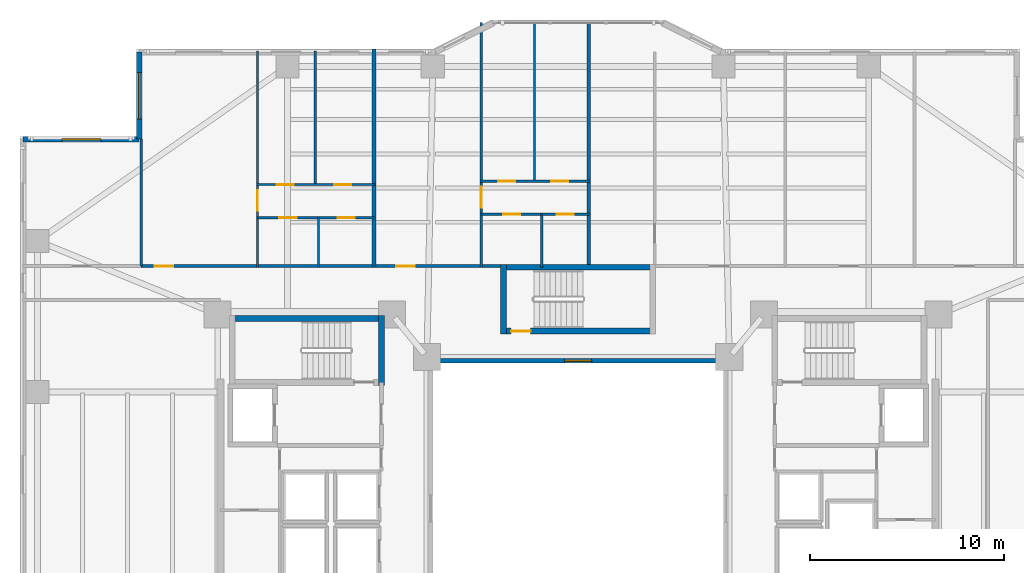
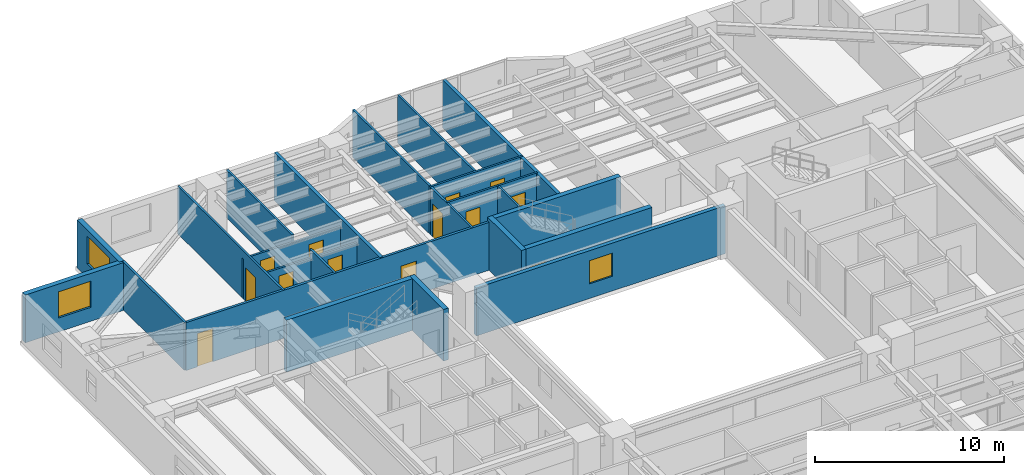
# One storey, part 14 of 21: 24 walls, 13 doors, 3 windows, 16 openings.
"""IFC4 building model written with IfcOpenShell, lengths in metres."""

import ifcopenshell
import ifcopenshell.guid

model = None  # the IFC model being written
_history = None  # IfcOwnerHistory: only IFC2X3 demands one
_inside = {}  # id of a spatial element -> (the spatial element, [elements in it])
_under = {}  # id of a project, library or spatial element -> (it, [spatial elements below it])
_declared = {}  # id of a project -> (the project, [libraries it declares])
_typed = {}  # id of a type object -> (the type object, [elements of that type])
_made_of = {}  # id of a material, layer set ... -> (it, [elements and type objects made of it])


def new_model(schema):
    """Start an empty IFC model of exactly this schema.

    Asked for "IFC4X3", IfcOpenShell would pick the latest addendum, in which some entities
    have other attributes; the version numbers below select the first issue.
    IFC2X3 requires an IfcOwnerHistory on every rooted entity: one is made here for all.
    """
    global model, _history
    if schema == "IFC4X3":
        model = ifcopenshell.file(schema_version=(4, 3, 0, 0))
    else:
        model = ifcopenshell.file(schema=schema)
    _inside.clear()
    _under.clear()
    _declared.clear()
    _typed.clear()
    _made_of.clear()
    _history = None
    if model.schema == "IFC2X3":
        org = make("IfcOrganization", Name="unknown")
        user = make(
            "IfcPersonAndOrganization",
            ThePerson=make("IfcPerson", FamilyName="unknown"),
            TheOrganization=org,
        )
        app = make(
            "IfcApplication",
            ApplicationDeveloper=org,
            Version="unknown",
            ApplicationFullName="unknown",
            ApplicationIdentifier="unknown",
        )
        _history = make(
            "IfcOwnerHistory",
            OwningUser=user,
            OwningApplication=app,
            ChangeAction="ADDED",
            CreationDate=0,
        )
    return model


def make(cls, **values):
    """One entity of the class cls with the attributes given. An attribute that is None is left unset."""
    return model.create_entity(
        cls, **{name: value for name, value in values.items() if value is not None}
    )


def rooted(cls, **values):
    """An entity with a GlobalId (a new one), such as an element, a storey or a relation."""
    return make(cls, GlobalId=ifcopenshell.guid.new(), OwnerHistory=_history, **values)


def si_unit(unit_type, name, prefix=None):
    """IfcSIUnit, for example si_unit("LENGTHUNIT", "METRE", prefix="MILLI")."""
    return make("IfcSIUnit", UnitType=unit_type, Prefix=prefix, Name=name)


def assignment(units):
    """IfcUnitAssignment: the units of a project."""
    return None if units is None else make("IfcUnitAssignment", Units=units)


def point(xyz):
    """IfcCartesianPoint."""
    return None if xyz is None else make("IfcCartesianPoint", Coordinates=xyz)


def direction(xyz):
    """IfcDirection."""
    return None if xyz is None else make("IfcDirection", DirectionRatios=xyz)


def frame(location, z_axis=None, x_axis=None):
    """IfcAxis2Placement3D, a coordinate frame: its origin and axes. An axis left out is left unset."""
    return make(
        "IfcAxis2Placement3D",
        Location=point(location),
        Axis=direction(z_axis),
        RefDirection=direction(x_axis),
    )


def frame_2d(location, x_axis=None):
    """IfcAxis2Placement2D, a coordinate frame in the plane: its origin and x axis."""
    return make(
        "IfcAxis2Placement2D", Location=point(location), RefDirection=direction(x_axis)
    )


def origin():
    """The frame at (0, 0, 0) with its axes left unset."""
    return frame((0.0, 0.0, 0.0))


def place(relative_to, where):
    """IfcLocalPlacement: puts the frame where relative to a parent placement (None: the world)."""
    return make(
        "IfcLocalPlacement", PlacementRelTo=relative_to, RelativePlacement=where
    )


def context(
    kind, dimensions, precision=None, world=None, true_north=None, identifier=None
):
    """IfcGeometricRepresentationContext, for example the 3D "Model" context."""
    return make(
        "IfcGeometricRepresentationContext",
        ContextIdentifier=identifier,
        ContextType=kind,
        CoordinateSpaceDimension=dimensions,
        Precision=precision,
        WorldCoordinateSystem=world,
        TrueNorth=true_north,
    )


def subcontext(parent, identifier, kind, view, scale=None):
    """IfcGeometricRepresentationSubContext, for example "Body" below "Model"."""
    return make(
        "IfcGeometricRepresentationSubContext",
        ContextIdentifier=identifier,
        ContextType=kind,
        ParentContext=parent,
        TargetScale=scale,
        TargetView=view,
    )


def project(units=None, contexts=None):
    """IfcProject with its units and contexts."""
    return rooted(
        "IfcProject",
        Name="project",
        RepresentationContexts=contexts,
        UnitsInContext=assignment(units),
    )


def spatial(cls, under=None, at=None, **own):
    """A site, building, storey or space (cls), placed at a placement, below another one or the project."""
    s = rooted(cls, ObjectPlacement=at, **own)
    if under is not None:
        _under.setdefault(under.id(), (under, []))[1].append(s)
    return s


def profile(cls, at=None, kind="AREA", **sizes):
    """A parametric profile (cls). Its sizes go by their IFC names, for example OverallWidth=200.0."""
    return make(cls, ProfileType=kind, Position=at, **sizes)


def rectangle(**sizes):
    """IfcRectangleProfileDef."""
    return profile("IfcRectangleProfileDef", **sizes)


def extrude(swept, where, along, depth):
    """IfcExtrudedAreaSolid: the profile swept, set in the frame where, extruded along a direction by depth."""
    return make(
        "IfcExtrudedAreaSolid",
        SweptArea=swept,
        Position=where,
        ExtrudedDirection=direction(along),
        Depth=depth,
    )


def shape(context_of_items, identifier, shape_type, items):
    """IfcShapeRepresentation: the items that make up one representation, for example the "Body"."""
    return make(
        "IfcShapeRepresentation",
        ContextOfItems=context_of_items,
        RepresentationIdentifier=identifier,
        RepresentationType=shape_type,
        Items=items,
    )


def material(Name=None, Category=None):
    """IfcMaterial."""
    return make("IfcMaterial", Name=Name, Category=Category)


def layer(
    of_material, thickness, ventilated=None, Name=None, Category=None, Priority=None
):
    """IfcMaterialLayer: one layer of a wall or slab, of a material (None: an air gap)."""
    return make(
        "IfcMaterialLayer",
        Material=of_material,
        LayerThickness=thickness,
        IsVentilated=ventilated,
        Name=Name,
        Category=Category,
        Priority=Priority,
    )


def layer_set(layers, Name=None):
    """IfcMaterialLayerSet."""
    return make("IfcMaterialLayerSet", MaterialLayers=layers, LayerSetName=Name)


def made_of(thing, what):
    """Note that an element or type object is made of a material, layer set ...; save() writes the relation."""
    if what is not None:
        _made_of.setdefault(what.id(), (what, []))[1].append(thing)
    return thing


def type_object(cls, material=None, **own):
    """A type object (cls), such as IfcWallType, which elements share."""
    return made_of(rooted(cls, **own), material)


def element(
    cls,
    number,
    at=None,
    inside=None,
    cuts=None,
    type_object=None,
    material=None,
    context=None,
    identifier="Body",
    shape_type=None,
    held_by="IfcProductDefinitionShape",
    body=None,
    shapes=None,
    **own,
):
    """One element of the class cls, such as IfcWall. Its Tag is "e" and its number.

    at: its placement. inside: the storey or other place that contains it. cuts: it is an
    opening in that element (IfcRelVoidsElement). A single representation is given by context,
    identifier, shape_type and body (its items); several are given by shapes. held_by: the class
    of the entity that holds the representations. save() writes the other relations.
    """
    e = rooted(cls, Tag="e%d" % number, ObjectPlacement=at, **own)
    if body is not None:
        shapes = [shape(context, identifier, shape_type, body)]
    if shapes is not None:
        e.Representation = make(held_by, Representations=shapes)
    if inside is not None:
        _inside.setdefault(inside.id(), (inside, []))[1].append(e)
    if cuts is not None:
        rooted(
            "IfcRelVoidsElement", RelatingBuildingElement=cuts, RelatedOpeningElement=e
        )
    if type_object is not None:
        _typed.setdefault(type_object.id(), (type_object, []))[1].append(e)
    return made_of(e, material)


def fill(opening, filler):
    """IfcRelFillsElement: the door or window that sits in an opening."""
    return rooted(
        "IfcRelFillsElement",
        RelatingOpeningElement=opening,
        RelatedBuildingElement=filler,
    )


def aggregate(whole, parts):
    """IfcRelAggregates: a whole, such as a stair, and the parts it consists of."""
    return rooted("IfcRelAggregates", RelatingObject=whole, RelatedObjects=parts)


def save(model, path):
    """Write the relations noted so far, then the file.

    IfcRelAggregates (storeys below a building ...), IfcRelContainedInSpatialStructure (elements
    in a storey), IfcRelDefinesByType, IfcRelAssociatesMaterial and IfcRelDeclares: one each for
    every whole, place, type object, material and project.
    """
    for whole, parts in _under.values():
        aggregate(whole, parts)
    for where, things in _inside.values():
        rooted(
            "IfcRelContainedInSpatialStructure",
            RelatedElements=things,
            RelatingStructure=where,
        )
    for kind, things in _typed.values():
        rooted("IfcRelDefinesByType", RelatedObjects=things, RelatingType=kind)
    for what, things in _made_of.values():
        rooted("IfcRelAssociatesMaterial", RelatedObjects=things, RelatingMaterial=what)
    for by, libraries in _declared.values():
        rooted("IfcRelDeclares", RelatingContext=by, RelatedDefinitions=libraries)
    model.write(path)


model = new_model("IFC4")

# Units and contexts
model_context = context("Model", 3, precision=1e-05, world=origin(), true_north=direction((0.0, 1.0)))
body_context = subcontext(model_context, "Body", "Model", "MODEL_VIEW")
ifc_project = project(units=[si_unit("LENGTHUNIT", "METRE"), si_unit("AREAUNIT", "SQUARE_METRE"), si_unit("VOLUMEUNIT", "CUBIC_METRE"), si_unit("PLANEANGLEUNIT", "RADIAN"), si_unit("MASSUNIT", "GRAM", prefix="KILO")], contexts=[model_context])

# Site, building, storey
site_placement = place(None, origin())
site = spatial("IfcSite", under=ifc_project, at=site_placement, CompositionType="ELEMENT")
building_placement = place(site_placement, origin())
building = spatial("IfcBuilding", under=site, at=building_placement, Name="Tarnavaz Court Tower", CompositionType="ELEMENT")
storey_placement = place(building_placement, frame((0.0, 0.0, 40.75)))
storey = spatial("IfcBuildingStorey", under=building, at=storey_placement, Name="L10", CompositionType="ELEMENT", Elevation=40.75)

# Walls
ifc_material_1 = material(Name="Concrete C60/75", Category="concrete")
ifc_layer_1 = layer(ifc_material_1, 0.300048828125)
ifc_layer_set_1 = layer_set([ifc_layer_1], Name="Concrete C60/75")
wall_type_1 = type_object("IfcWallType", Name="WL-CORE-300-C60", PredefinedType="SHEAR", material=ifc_layer_set_1)
wall_1_placement = place(storey_placement, frame((-18.0, 9.7900390625, 0.0), z_axis=(0.0, 0.0, 1.0), x_axis=(1.0, 0.0, 0.0)))
element("IfcWall", 1, at=wall_1_placement, inside=storey, type_object=wall_type_1, Name="L10 West Stair Core Wall 001", PredefinedType="SHEAR", context=body_context, shape_type="SweptSolid", body=[
    extrude(rectangle(XDim=8.0, YDim=0.300048828125, at=frame_2d((4.0, 0.0))), origin(), (0.0, 0.0, 1.0), 3.35009765625),
])
wall_2_placement = place(storey_placement, frame((-10.14990234375, 6.35009765625, 0.0), z_axis=(0.0, 0.0, 1.0), x_axis=(0.0, 1.0, 0.0)))
element("IfcWall", 2, at=wall_2_placement, inside=storey, type_object=wall_type_1, Name="L10 West Stair Core Wall 004", PredefinedType="SHEAR", context=body_context, shape_type="SweptSolid", body=[
    extrude(rectangle(XDim=3.58984375, YDim=0.300048828125, at=frame_2d((1.794921875, 0.0))), origin(), (0.0, 0.0, 1.0), 3.35009765625),
])
wall_3_placement = place(storey_placement, frame((-4.0, 12.43994140625, 0.0), z_axis=(0.0, 0.0, 1.0), x_axis=(1.0, 0.0, 0.0)))
element("IfcWall", 3, at=wall_3_placement, inside=storey, type_object=wall_type_1, Name="L10 North Stair Core Wall 009", PredefinedType="SHEAR", context=body_context, shape_type="SweptSolid", body=[
    extrude(rectangle(XDim=8.0, YDim=0.300048828125, at=frame_2d((4.0, 0.0))), origin(), (0.0, 0.0, 1.0), 3.35009765625),
])

# Wall, opening, door
wall_4_placement = place(storey_placement, frame((-4.0, 9.14990234375, 0.0), z_axis=(0.0, 0.0, 1.0), x_axis=(1.0, 0.0, 0.0)))
wall_4 = element("IfcWall", 4, at=wall_4_placement, inside=storey, type_object=wall_type_1, Name="L10 North Stair Core Wall 010", PredefinedType="SHEAR", context=body_context, shape_type="SweptSolid", body=[
    extrude(rectangle(XDim=8.0, YDim=0.300048828125, at=frame_2d((4.0, 0.0))), origin(), (0.0, 0.0, 1.0), 3.35009765625),
])
opening_1_placement = place(wall_4_placement, frame((0.550048828125, 0.0, 0.0)))
opening_1 = element("IfcOpeningElement", 5, at=opening_1_placement, cuts=wall_4, Name="Opening D01", PredefinedType="OPENING", context=body_context, shape_type="SweptSolid", body=[
    extrude(rectangle(XDim=1.0, YDim=2.14990234375, at=frame_2d((0.5, 1.074951171875))), frame((0.0, 0.159912109375, 0.0), z_axis=(0.0, -1.0, 0.0), x_axis=(1.0, 0.0, 0.0)), (0.0, 0.0, 1.0), 0.320068359375),
])
ifc_material_2 = material(Name="Fire-Rated Hardwood Timber Core", Category="wood")
door_type_1 = type_object("IfcDoorType", Name="DR-FD90-1000", OperationType="NOTDEFINED", PredefinedType="DOOR", material=ifc_material_2)
door_1_placement = place(opening_1_placement, origin())
door_1 = element("IfcDoor", 6, at=door_1_placement, inside=storey, type_object=door_type_1, Name="L10 Stair ST-N1 Exit Door", OperationType="SINGLE_SWING_LEFT", OverallHeight=2.14990234375, OverallWidth=1.0, PredefinedType="DOOR", context=body_context, shape_type="SweptSolid", body=[
    extrude(rectangle(XDim=1.0, YDim=2.14990234375, at=frame_2d((0.5, 1.074951171875))), frame((0.0, 0.02490234375, 0.0), z_axis=(0.0, -1.0, 0.0), x_axis=(1.0, 0.0, 0.0)), (0.0, 0.0, 1.0), 0.050048828125),
])
fill(opening_1, door_1)

# Wall
wall_5_placement = place(storey_placement, frame((-3.85009765625, 9.0, 0.0), z_axis=(0.0, 0.0, 1.0), x_axis=(0.0, 1.0, 0.0)))
element("IfcWall", 7, at=wall_5_placement, inside=storey, type_object=wall_type_1, Name="L10 North Stair Core Wall 011", PredefinedType="SHEAR", context=body_context, shape_type="SweptSolid", body=[
    extrude(rectangle(XDim=3.590087890625, YDim=0.300048828125, at=frame_2d((1.794921875, 0.0))), origin(), (0.0, 0.0, 1.0), 3.35009765625),
])

# Wall, opening, window
ifc_material_3 = material(Name="Precast Concrete C40/50", Category="concrete")
ifc_layer_2 = layer(ifc_material_3, 0.300048828125)
ifc_layer_set_2 = layer_set([ifc_layer_2], Name="Precast Concrete C40/50")
wall_type_2 = type_object("IfcWallType", Name="WL-EXT-300", PredefinedType="SOLIDWALL", material=ifc_layer_set_2)
wall_6_placement = place(storey_placement, frame((-28.64990234375, 19.050048828125, 0.0), z_axis=(0.0, 0.0, 1.0), x_axis=(1.0, 0.0, 0.0)))
wall_6 = element("IfcWall", 8, at=wall_6_placement, inside=storey, type_object=wall_type_2, Name="L10 Exterior Terracotta Facade Wall 03", PredefinedType="SOLIDWALL", context=body_context, shape_type="SweptSolid", body=[
    extrude(rectangle(XDim=6.0, YDim=0.300048828125, at=frame_2d((3.0, 0.0))), origin(), (0.0, 0.0, 1.0), 3.10009765625),
])
opening_2_placement = place(wall_6_placement, frame((2.02490234375, 0.0, 0.89990234375)))
opening_2 = element("IfcOpeningElement", 9, at=opening_2_placement, cuts=wall_6, Name="Opening W08", PredefinedType="OPENING", context=body_context, shape_type="SweptSolid", body=[
    extrude(rectangle(XDim=2.0, YDim=1.699951171875, at=frame_2d((1.0, 0.85009765625))), frame((0.0, 0.159912109375, 0.0), z_axis=(0.0, -1.0, 0.0), x_axis=(1.0, 0.0, 0.0)), (0.0, 0.0, 1.0), 0.320068359375),
])
ifc_material_4 = material(Name="Double-Glazed Solar Low-E Glass", Category="glass")
window_type_1 = type_object("IfcWindowType", Name="WN-APT-2000", PartitioningType="DOUBLE_PANEL_VERTICAL", PredefinedType="WINDOW", material=ifc_material_4)
window_1_placement = place(opening_2_placement, origin())
window_1 = element("IfcWindow", 10, at=window_1_placement, inside=storey, type_object=window_type_1, Name="L10 North-West Corner Sunroom Study Window", OverallHeight=1.699951171875, OverallWidth=2.0, PartitioningType="SINGLE_PANEL", PredefinedType="WINDOW", context=body_context, shape_type="SweptSolid", body=[
    extrude(rectangle(XDim=2.0, YDim=1.699951171875, at=frame_2d((1.0, 0.85009765625))), frame((0.0, 0.030029296875, 0.0), z_axis=(0.0, -1.0, 0.0), x_axis=(1.0, 0.0, 0.0)), (0.0, 0.0, 1.0), 0.06005859375),
])
fill(opening_2, window_1)

wall_7_placement = place(storey_placement, frame((-22.64990234375, 19.050048828125, 0.0), z_axis=(0.0, 0.0, 1.0), x_axis=(0.0, 1.0, 0.0)))
wall_7 = element("IfcWall", 11, at=wall_7_placement, inside=storey, type_object=wall_type_2, Name="L10 Exterior Terracotta Facade Wall 04", PredefinedType="SOLIDWALL", context=body_context, shape_type="SweptSolid", body=[
    extrude(rectangle(XDim=4.5, YDim=0.300048828125, at=frame_2d((2.25, 0.0))), origin(), (0.0, 0.0, 1.0), 3.10009765625),
])
opening_3_placement = place(wall_7_placement, frame((1.032470703125, 0.0, 0.89990234375)))
opening_3 = element("IfcOpeningElement", 12, at=opening_3_placement, cuts=wall_7, Name="Opening W06", PredefinedType="OPENING", context=body_context, shape_type="SweptSolid", body=[
    extrude(rectangle(XDim=2.39990234375, YDim=1.800048828125, at=frame_2d((1.199951171875, 0.89990234375))), frame((0.0, 0.159912109375, 0.0), z_axis=(0.0, -1.0, 0.0), x_axis=(1.0, 0.0, 0.0)), (0.0, 0.0, 1.0), 0.320068359375),
])
window_type_2 = type_object("IfcWindowType", Name="WN-APT-2400", PartitioningType="TRIPLE_PANEL_VERTICAL", PredefinedType="WINDOW", material=ifc_material_4)
window_2_placement = place(opening_3_placement, origin())
window_2 = element("IfcWindow", 13, at=window_2_placement, inside=storey, type_object=window_type_2, Name="L10 Flat 01 Living and Dining Room Window", OverallHeight=1.800048828125, OverallWidth=2.39990234375, PartitioningType="SINGLE_PANEL", PredefinedType="WINDOW", context=body_context, shape_type="SweptSolid", body=[
    extrude(rectangle(XDim=2.39990234375, YDim=1.800048828125, at=frame_2d((1.199951171875, 0.89990234375))), frame((0.0, 0.030029296875, 0.0), z_axis=(0.0, -1.0, 0.0), x_axis=(1.0, 0.0, 0.0)), (0.0, 0.0, 1.0), 0.06005859375),
])
fill(opening_3, window_2)

# Wall, openings, doors
ifc_material_5 = material(Name="Gypsum Fire-Board on Acoustic Metal Stud", Category="masonry")
ifc_layer_3 = layer(ifc_material_5, 0.14990234375)
ifc_layer_set_3 = layer_set([ifc_layer_3], Name="Gypsum Fire-Board on Acoustic Metal Stud")
wall_type_3 = type_object("IfcWallType", Name="WL-FIRE-150", PredefinedType="PARTITIONING", material=ifc_layer_set_3)
wall_8_placement = place(storey_placement, frame((-22.550048828125, 12.5, 0.0), z_axis=(0.0, 0.0, 1.0), x_axis=(1.0, 0.0, 0.0)))
wall_8 = element("IfcWall", 14, at=wall_8_placement, inside=storey, type_object=wall_type_3, Name="L10 NW Wing Corridor Wall 082", PredefinedType="PARTITIONING", context=body_context, shape_type="SweptSolid", body=[
    extrude(rectangle(XDim=18.699951171875, YDim=0.14990234375, at=frame_2d((9.35009765625, 0.0))), origin(), (0.0, 0.0, 1.0), 3.10009765625),
])
opening_4_placement = place(wall_8_placement, frame((0.699951171875, 0.0, 0.0)))
opening_4 = element("IfcOpeningElement", 15, at=opening_4_placement, cuts=wall_8, Name="Opening D06", PredefinedType="OPENING", context=body_context, shape_type="SweptSolid", body=[
    extrude(rectangle(XDim=0.9599609375, YDim=2.14990234375, at=frame_2d((0.47998046875, 1.074951171875))), frame((0.0, 0.0849609375, 0.0), z_axis=(0.0, -1.0, 0.0), x_axis=(1.0, 0.0, 0.0)), (0.0, 0.0, 1.0), 0.169921875),
])
opening_5_placement = place(wall_8_placement, frame((13.162109375, 0.0, 0.0)))
opening_5 = element("IfcOpeningElement", 16, at=opening_5_placement, cuts=wall_8, Name="Opening D06", PredefinedType="OPENING", context=body_context, shape_type="SweptSolid", body=[
    extrude(rectangle(XDim=0.9599609375, YDim=2.14990234375, at=frame_2d((0.47998046875, 1.074951171875))), frame((0.0, 0.0849609375, 0.0), z_axis=(0.0, -1.0, 0.0), x_axis=(1.0, 0.0, 0.0)), (0.0, 0.0, 1.0), 0.169921875),
])
door_type_2 = type_object("IfcDoorType", Name="DR-FD60-950", OperationType="NOTDEFINED", PredefinedType="DOOR", material=ifc_material_2)
door_2_placement = place(opening_4_placement, origin())
door_2 = element("IfcDoor", 17, at=door_2_placement, inside=storey, type_object=door_type_2, Name="L10 Flat 01 Entrance Door", OperationType="SINGLE_SWING_RIGHT", OverallHeight=2.14990234375, OverallWidth=0.9599609375, PredefinedType="DOOR", context=body_context, shape_type="SweptSolid", body=[
    extrude(rectangle(XDim=0.9599609375, YDim=2.14990234375, at=frame_2d((0.47998046875, 1.074951171875))), frame((0.0, 0.02490234375, 0.0), z_axis=(0.0, -1.0, 0.0), x_axis=(1.0, 0.0, 0.0)), (0.0, 0.0, 1.0), 0.050048828125),
])
fill(opening_4, door_2)
door_3_placement = place(opening_5_placement, origin())
door_3 = element("IfcDoor", 18, at=door_3_placement, inside=storey, type_object=door_type_2, Name="L10 Flat 02 Entrance Door", OperationType="SINGLE_SWING_RIGHT", OverallHeight=2.14990234375, OverallWidth=0.9599609375, PredefinedType="DOOR", context=body_context, shape_type="SweptSolid", body=[
    extrude(rectangle(XDim=0.9599609375, YDim=2.14990234375, at=frame_2d((0.47998046875, 1.074951171875))), frame((0.0, 0.02490234375, 0.0), z_axis=(0.0, -1.0, 0.0), x_axis=(1.0, 0.0, 0.0)), (0.0, 0.0, 1.0), 0.050048828125),
])
fill(opening_5, door_3)

# Walls
ifc_material_6 = material(Name="Autoclaved Aerated Concrete Blockwork", Category="masonry")
ifc_layer_4 = layer(ifc_material_6, 0.199951171875)
ifc_layer_set_4 = layer_set([ifc_layer_4], Name="Autoclaved Aerated Concrete Blockwork")
wall_type_4 = type_object("IfcWallType", Name="WL-FIRE-200", PredefinedType="SOLIDWALL", material=ifc_layer_set_4)
wall_9_placement = place(storey_placement, frame((0.550048828125, 12.5, 0.0), z_axis=(0.0, 0.0, 1.0), x_axis=(0.0, 1.0, 0.0)))
element("IfcWall", 19, at=wall_9_placement, inside=storey, type_object=wall_type_4, Name="L10 North Center Party Wall 088", PredefinedType="SOLIDWALL", context=body_context, shape_type="SweptSolid", body=[
    extrude(rectangle(XDim=12.580078125, YDim=0.199951171875, at=frame_2d((6.2900390625, 0.0))), origin(), (0.0, 0.0, 1.0), 3.10009765625),
])
wall_10_placement = place(storey_placement, frame((-10.5380859375, 12.5, 0.0), z_axis=(0.0, 0.0, 1.0), x_axis=(0.0, 1.0, 0.0)))
element("IfcWall", 20, at=wall_10_placement, inside=storey, type_object=wall_type_4, Name="L10 Party Wall 089", PredefinedType="SOLIDWALL", context=body_context, shape_type="SweptSolid", body=[
    extrude(rectangle(XDim=11.214111328125, YDim=0.199951171875, at=frame_2d((5.60693359375, 0.0))), origin(), (0.0, 0.0, 1.0), 3.10009765625),
])

# Wall, opening, door
ifc_material_7 = material(Name="Moisture-Resistant Gypsum Board Partition", Category="masonry")
ifc_layer_5 = layer(ifc_material_7, 0.1201171875)
ifc_layer_set_5 = layer_set([ifc_layer_5], Name="Moisture-Resistant Gypsum Board Partition")
wall_type_5 = type_object("IfcWallType", Name="WL-PART-120", PredefinedType="PARTITIONING", material=ifc_layer_set_5)
wall_11_placement = place(storey_placement, frame((-16.5439453125, 12.43994140625, 0.0), z_axis=(0.0, 0.0, 1.0), x_axis=(0.0, 1.0, 0.0)))
wall_11 = element("IfcWall", 21, at=wall_11_placement, inside=storey, type_object=wall_type_5, Name="L10 Interior Partition 090", PredefinedType="PARTITIONING", context=body_context, shape_type="SweptSolid", body=[
    extrude(rectangle(XDim=11.16015625, YDim=0.1201171875, at=frame_2d((5.580078125, 0.0))), origin(), (0.0, 0.0, 1.0), 3.10009765625),
])
opening_6_placement = place(wall_11_placement, frame((2.905029296875, 0.0, 0.0)))
opening_6 = element("IfcOpeningElement", 22, at=opening_6_placement, cuts=wall_11, Name="Opening D12", PredefinedType="OPENING", context=body_context, shape_type="SweptSolid", body=[
    extrude(rectangle(XDim=1.080078125, YDim=2.14990234375, at=frame_2d((0.5400390625, 1.074951171875))), frame((0.0, 0.070068359375, 0.0), z_axis=(0.0, -1.0, 0.0), x_axis=(1.0, 0.0, 0.0)), (0.0, 0.0, 1.0), 0.14013671875),
])
ifc_material_8 = material(Name="Engineered Oak Timber", Category="wood")
door_type_3 = type_object("IfcDoorType", Name="DR-INT-1100", OperationType="NOTDEFINED", PredefinedType="DOOR", material=ifc_material_8)
door_4_placement = place(opening_6_placement, origin())
door_4 = element("IfcDoor", 23, at=door_4_placement, inside=storey, type_object=door_type_3, Name="L10 Flat 01 Foyer Door", OperationType="SINGLE_SWING_LEFT", OverallHeight=2.14990234375, OverallWidth=1.080078125, PredefinedType="DOOR", context=body_context, shape_type="SweptSolid", body=[
    extrude(rectangle(XDim=1.080078125, YDim=2.14990234375, at=frame_2d((0.5400390625, 1.074951171875))), frame((0.0, 0.02490234375, 0.0), z_axis=(0.0, -1.0, 0.0), x_axis=(1.0, 0.0, 0.0)), (0.0, 0.0, 1.0), 0.050048828125),
])
fill(opening_6, door_4)

wall_12_placement = place(storey_placement, frame((-16.5439453125, 15.0, 0.0), z_axis=(0.0, 0.0, 1.0), x_axis=(1.0, 0.0, 0.0)))
wall_12 = element("IfcWall", 24, at=wall_12_placement, inside=storey, type_object=wall_type_5, Name="L10 Interior Partition 091", PredefinedType="PARTITIONING", context=body_context, shape_type="SweptSolid", body=[
    extrude(rectangle(XDim=3.15087890625, YDim=0.1201171875, at=frame_2d((1.575439453125, 0.0))), origin(), (0.0, 0.0, 1.0), 2.5849609375),
])
opening_7_placement = place(wall_12_placement, frame((1.135009765625, 0.0, 0.0)))
opening_7 = element("IfcOpeningElement", 25, at=opening_7_placement, cuts=wall_12, Name="Opening D14", PredefinedType="OPENING", context=body_context, shape_type="SweptSolid", body=[
    extrude(rectangle(XDim=0.8798828125, YDim=2.10009765625, at=frame_2d((0.43994140625, 1.050048828125))), frame((0.0, 0.070068359375, 0.0), z_axis=(0.0, -1.0, 0.0), x_axis=(1.0, 0.0, 0.0)), (0.0, 0.0, 1.0), 0.14013671875),
])
door_type_4 = type_object("IfcDoorType", Name="DR-INT-900", OperationType="NOTDEFINED", PredefinedType="DOOR", material=ifc_material_8)
door_5_placement = place(opening_7_placement, origin())
door_5 = element("IfcDoor", 26, at=door_5_placement, inside=storey, type_object=door_type_4, Name="L10 Flat 01 Kitchen Door", OperationType="SINGLE_SWING_RIGHT", OverallHeight=2.10009765625, OverallWidth=0.8798828125, PredefinedType="DOOR", context=body_context, shape_type="SweptSolid", body=[
    extrude(rectangle(XDim=0.8798828125, YDim=2.10009765625, at=frame_2d((0.43994140625, 1.050048828125))), frame((0.0, 0.02490234375, 0.0), z_axis=(0.0, -1.0, 0.0), x_axis=(1.0, 0.0, 0.0)), (0.0, 0.0, 1.0), 0.050048828125),
])
fill(opening_7, door_5)

wall_13_placement = place(storey_placement, frame((-13.39306640625, 15.0, 0.0), z_axis=(0.0, 0.0, 1.0), x_axis=(1.0, 0.0, 0.0)))
wall_13 = element("IfcWall", 27, at=wall_13_placement, inside=storey, type_object=wall_type_5, Name="L10 Interior Partition 092", PredefinedType="PARTITIONING", context=body_context, shape_type="SweptSolid", body=[
    extrude(rectangle(XDim=2.85498046875, YDim=0.1201171875, at=frame_2d((1.427490234375, 0.0))), origin(), (0.0, 0.0, 1.0), 2.5849609375),
])
opening_8_placement = place(wall_13_placement, frame((0.988037109375, 0.0, 0.0)))
opening_8 = element("IfcOpeningElement", 28, at=opening_8_placement, cuts=wall_13, Name="Opening D14", PredefinedType="OPENING", context=body_context, shape_type="SweptSolid", body=[
    extrude(rectangle(XDim=0.8798828125, YDim=2.10009765625, at=frame_2d((0.43994140625, 1.050048828125))), frame((0.0, 0.070068359375, 0.0), z_axis=(0.0, -1.0, 0.0), x_axis=(1.0, 0.0, 0.0)), (0.0, 0.0, 1.0), 0.14013671875),
])
door_6_placement = place(opening_8_placement, origin())
door_6 = element("IfcDoor", 29, at=door_6_placement, inside=storey, type_object=door_type_4, Name="L10 Flat 01 Bathroom Door", OperationType="SINGLE_SWING_LEFT", OverallHeight=2.10009765625, OverallWidth=0.8798828125, PredefinedType="DOOR", context=body_context, shape_type="SweptSolid", body=[
    extrude(rectangle(XDim=0.8798828125, YDim=2.10009765625, at=frame_2d((0.43994140625, 1.050048828125))), frame((0.0, 0.02490234375, 0.0), z_axis=(0.0, -1.0, 0.0), x_axis=(1.0, 0.0, 0.0)), (0.0, 0.0, 1.0), 0.050048828125),
])
fill(opening_8, door_6)

# Wall, openings, doors
wall_14_placement = place(storey_placement, frame((-16.60400390625, 16.7099609375, 0.0), z_axis=(0.0, 0.0, 1.0), x_axis=(1.0, 0.0, 0.0)))
wall_14 = element("IfcWall", 30, at=wall_14_placement, inside=storey, type_object=wall_type_5, Name="L10 Interior Partition 093", PredefinedType="PARTITIONING", context=body_context, shape_type="SweptSolid", body=[
    extrude(rectangle(XDim=6.1259765625, YDim=0.1201171875, at=frame_2d((3.06298828125, 0.0))), origin(), (0.0, 0.0, 1.0), 2.5849609375),
])
opening_9_placement = place(wall_14_placement, frame((1.0458984375, 0.0, 0.0)))
opening_9 = element("IfcOpeningElement", 31, at=opening_9_placement, cuts=wall_14, Name="Opening D14", PredefinedType="OPENING", context=body_context, shape_type="SweptSolid", body=[
    extrude(rectangle(XDim=0.8798828125, YDim=2.10009765625, at=frame_2d((0.43994140625, 1.050048828125))), frame((0.0, 0.070068359375, 0.0), z_axis=(0.0, -1.0, 0.0), x_axis=(1.0, 0.0, 0.0)), (0.0, 0.0, 1.0), 0.14013671875),
])
opening_10_placement = place(wall_14_placement, frame((4.01904296875, 0.0, 0.0)))
opening_10 = element("IfcOpeningElement", 32, at=opening_10_placement, cuts=wall_14, Name="Opening D14", PredefinedType="OPENING", context=body_context, shape_type="SweptSolid", body=[
    extrude(rectangle(XDim=0.8798828125, YDim=2.10009765625, at=frame_2d((0.43994140625, 1.050048828125))), frame((0.0, 0.070068359375, 0.0), z_axis=(0.0, -1.0, 0.0), x_axis=(1.0, 0.0, 0.0)), (0.0, 0.0, 1.0), 0.14013671875),
])
door_7_placement = place(opening_9_placement, origin())
door_7 = element("IfcDoor", 33, at=door_7_placement, inside=storey, type_object=door_type_4, Name="L10 Flat 01 Bedroom 1 Door", OperationType="SINGLE_SWING_RIGHT", OverallHeight=2.10009765625, OverallWidth=0.8798828125, PredefinedType="DOOR", context=body_context, shape_type="SweptSolid", body=[
    extrude(rectangle(XDim=0.8798828125, YDim=2.10009765625, at=frame_2d((0.43994140625, 1.050048828125))), frame((0.0, 0.02490234375, 0.0), z_axis=(0.0, -1.0, 0.0), x_axis=(1.0, 0.0, 0.0)), (0.0, 0.0, 1.0), 0.050048828125),
])
fill(opening_9, door_7)
door_8_placement = place(opening_10_placement, origin())
door_8 = element("IfcDoor", 34, at=door_8_placement, inside=storey, type_object=door_type_4, Name="L10 Flat 01 Bedroom 2 Door", OperationType="SINGLE_SWING_LEFT", OverallHeight=2.10009765625, OverallWidth=0.8798828125, PredefinedType="DOOR", context=body_context, shape_type="SweptSolid", body=[
    extrude(rectangle(XDim=0.8798828125, YDim=2.10009765625, at=frame_2d((0.43994140625, 1.050048828125))), frame((0.0, 0.02490234375, 0.0), z_axis=(0.0, -1.0, 0.0), x_axis=(1.0, 0.0, 0.0)), (0.0, 0.0, 1.0), 0.050048828125),
])
fill(opening_10, door_8)

# Walls
wall_15_placement = place(storey_placement, frame((-13.39306640625, 12.43994140625, 0.0), z_axis=(0.0, 0.0, 1.0), x_axis=(0.0, 1.0, 0.0)))
element("IfcWall", 35, at=wall_15_placement, inside=storey, type_object=wall_type_5, Name="L10 Interior Partition 094", PredefinedType="PARTITIONING", context=body_context, shape_type="SweptSolid", body=[
    extrude(rectangle(XDim=2.6201171875, YDim=0.1201171875, at=frame_2d((1.31005859375, 0.0))), origin(), (0.0, 0.0, 1.0), 3.10009765625),
])
wall_16_placement = place(storey_placement, frame((-13.571044921875, 16.64990234375, 0.0), z_axis=(0.0, 0.0, 1.0), x_axis=(0.0, 1.0, 0.0)))
element("IfcWall", 36, at=wall_16_placement, inside=storey, type_object=wall_type_5, Name="L10 Interior Partition 095", PredefinedType="PARTITIONING", context=body_context, shape_type="SweptSolid", body=[
    extrude(rectangle(XDim=6.9501953125, YDim=0.1201171875, at=frame_2d((3.47509765625, 0.0))), origin(), (0.0, 0.0, 1.0), 3.10009765625),
])

# Wall, opening, door
wall_17_placement = place(storey_placement, frame((-4.993896484375, 12.43994140625, 0.0), z_axis=(0.0, 0.0, 1.0), x_axis=(0.0, 1.0, 0.0)))
wall_17 = element("IfcWall", 37, at=wall_17_placement, inside=storey, type_object=wall_type_5, Name="L10 Interior Partition 096", PredefinedType="PARTITIONING", context=body_context, shape_type="SweptSolid", body=[
    extrude(rectangle(XDim=12.64013671875, YDim=0.1201171875, at=frame_2d((6.320068359375, 0.0))), origin(), (0.0, 0.0, 1.0), 3.10009765625),
])
opening_11_placement = place(wall_17_placement, frame((3.074951171875, 0.0, 0.0)))
opening_11 = element("IfcOpeningElement", 38, at=opening_11_placement, cuts=wall_17, Name="Opening D12", PredefinedType="OPENING", context=body_context, shape_type="SweptSolid", body=[
    extrude(rectangle(XDim=1.080078125, YDim=2.14990234375, at=frame_2d((0.5400390625, 1.074951171875))), frame((0.0, 0.070068359375, 0.0), z_axis=(0.0, -1.0, 0.0), x_axis=(1.0, 0.0, 0.0)), (0.0, 0.0, 1.0), 0.14013671875),
])
door_9_placement = place(opening_11_placement, origin())
door_9 = element("IfcDoor", 39, at=door_9_placement, inside=storey, type_object=door_type_3, Name="L10 Flat 02 Foyer Door", OperationType="SINGLE_SWING_LEFT", OverallHeight=2.14990234375, OverallWidth=1.080078125, PredefinedType="DOOR", context=body_context, shape_type="SweptSolid", body=[
    extrude(rectangle(XDim=1.080078125, YDim=2.14990234375, at=frame_2d((0.5400390625, 1.074951171875))), frame((0.0, 0.02490234375, 0.0), z_axis=(0.0, -1.0, 0.0), x_axis=(1.0, 0.0, 0.0)), (0.0, 0.0, 1.0), 0.050048828125),
])
fill(opening_11, door_9)

wall_18_placement = place(storey_placement, frame((-4.993896484375, 15.169921875, 0.0), z_axis=(0.0, 0.0, 1.0), x_axis=(1.0, 0.0, 0.0)))
wall_18 = element("IfcWall", 40, at=wall_18_placement, inside=storey, type_object=wall_type_5, Name="L10 Interior Partition 097", PredefinedType="PARTITIONING", context=body_context, shape_type="SweptSolid", body=[
    extrude(rectangle(XDim=3.1259765625, YDim=0.1201171875, at=frame_2d((1.56298828125, 0.0))), origin(), (0.0, 0.0, 1.0), 3.10009765625),
])
opening_12_placement = place(wall_18_placement, frame((1.123046875, 0.0, 0.0)))
opening_12 = element("IfcOpeningElement", 41, at=opening_12_placement, cuts=wall_18, Name="Opening D14", PredefinedType="OPENING", context=body_context, shape_type="SweptSolid", body=[
    extrude(rectangle(XDim=0.8798828125, YDim=2.10009765625, at=frame_2d((0.43994140625, 1.050048828125))), frame((0.0, 0.070068359375, 0.0), z_axis=(0.0, -1.0, 0.0), x_axis=(1.0, 0.0, 0.0)), (0.0, 0.0, 1.0), 0.14013671875),
])
door_10_placement = place(opening_12_placement, origin())
door_10 = element("IfcDoor", 42, at=door_10_placement, inside=storey, type_object=door_type_4, Name="L10 Flat 02 Kitchen Door", OperationType="SINGLE_SWING_RIGHT", OverallHeight=2.10009765625, OverallWidth=0.8798828125, PredefinedType="DOOR", context=body_context, shape_type="SweptSolid", body=[
    extrude(rectangle(XDim=0.8798828125, YDim=2.10009765625, at=frame_2d((0.43994140625, 1.050048828125))), frame((0.0, 0.02490234375, 0.0), z_axis=(0.0, -1.0, 0.0), x_axis=(1.0, 0.0, 0.0)), (0.0, 0.0, 1.0), 0.050048828125),
])
fill(opening_12, door_10)

wall_19_placement = place(storey_placement, frame((-1.867919921875, 15.169921875, 0.0), z_axis=(0.0, 0.0, 1.0), x_axis=(1.0, 0.0, 0.0)))
wall_19 = element("IfcWall", 43, at=wall_19_placement, inside=storey, type_object=wall_type_5, Name="L10 Interior Partition 098", PredefinedType="PARTITIONING", context=body_context, shape_type="SweptSolid", body=[
    extrude(rectangle(XDim=2.41796875, YDim=0.1201171875, at=frame_2d((1.208984375, 0.0))), origin(), (0.0, 0.0, 1.0), 3.10009765625),
])
opening_13_placement = place(wall_19_placement, frame((0.76904296875, 0.0, 0.0)))
opening_13 = element("IfcOpeningElement", 44, at=opening_13_placement, cuts=wall_19, Name="Opening D14", PredefinedType="OPENING", context=body_context, shape_type="SweptSolid", body=[
    extrude(rectangle(XDim=0.8798828125, YDim=2.10009765625, at=frame_2d((0.43994140625, 1.050048828125))), frame((0.0, 0.070068359375, 0.0), z_axis=(0.0, -1.0, 0.0), x_axis=(1.0, 0.0, 0.0)), (0.0, 0.0, 1.0), 0.14013671875),
])
door_11_placement = place(opening_13_placement, origin())
door_11 = element("IfcDoor", 45, at=door_11_placement, inside=storey, type_object=door_type_4, Name="L10 Flat 02 Bathroom Door", OperationType="SINGLE_SWING_LEFT", OverallHeight=2.10009765625, OverallWidth=0.8798828125, PredefinedType="DOOR", context=body_context, shape_type="SweptSolid", body=[
    extrude(rectangle(XDim=0.8798828125, YDim=2.10009765625, at=frame_2d((0.43994140625, 1.050048828125))), frame((0.0, 0.02490234375, 0.0), z_axis=(0.0, -1.0, 0.0), x_axis=(1.0, 0.0, 0.0)), (0.0, 0.0, 1.0), 0.050048828125),
])
fill(opening_13, door_11)

# Wall, openings, doors
wall_20_placement = place(storey_placement, frame((-5.053955078125, 16.8798828125, 0.0), z_axis=(0.0, 0.0, 1.0), x_axis=(1.0, 0.0, 0.0)))
wall_20 = element("IfcWall", 46, at=wall_20_placement, inside=storey, type_object=wall_type_5, Name="L10 Interior Partition 099", PredefinedType="PARTITIONING", context=body_context, shape_type="SweptSolid", body=[
    extrude(rectangle(XDim=5.6640625, YDim=0.1201171875, at=frame_2d((2.83203125, 0.0))), origin(), (0.0, 0.0, 1.0), 3.10009765625),
])
opening_14_placement = place(wall_20_placement, frame((0.930908203125, 0.0, 0.0)))
opening_14 = element("IfcOpeningElement", 47, at=opening_14_placement, cuts=wall_20, Name="Opening D14", PredefinedType="OPENING", context=body_context, shape_type="SweptSolid", body=[
    extrude(rectangle(XDim=0.8798828125, YDim=2.10009765625, at=frame_2d((0.43994140625, 1.050048828125))), frame((0.0, 0.070068359375, 0.0), z_axis=(0.0, -1.0, 0.0), x_axis=(1.0, 0.0, 0.0)), (0.0, 0.0, 1.0), 0.14013671875),
])
opening_15_placement = place(wall_20_placement, frame((3.673095703125, 0.0, 0.0)))
opening_15 = element("IfcOpeningElement", 48, at=opening_15_placement, cuts=wall_20, Name="Opening D14", PredefinedType="OPENING", context=body_context, shape_type="SweptSolid", body=[
    extrude(rectangle(XDim=0.8798828125, YDim=2.10009765625, at=frame_2d((0.43994140625, 1.050048828125))), frame((0.0, 0.070068359375, 0.0), z_axis=(0.0, -1.0, 0.0), x_axis=(1.0, 0.0, 0.0)), (0.0, 0.0, 1.0), 0.14013671875),
])
door_12_placement = place(opening_14_placement, origin())
door_12 = element("IfcDoor", 49, at=door_12_placement, inside=storey, type_object=door_type_4, Name="L10 Flat 02 Bedroom 1 Door", OperationType="SINGLE_SWING_RIGHT", OverallHeight=2.10009765625, OverallWidth=0.8798828125, PredefinedType="DOOR", context=body_context, shape_type="SweptSolid", body=[
    extrude(rectangle(XDim=0.8798828125, YDim=2.10009765625, at=frame_2d((0.43994140625, 1.050048828125))), frame((0.0, 0.02490234375, 0.0), z_axis=(0.0, -1.0, 0.0), x_axis=(1.0, 0.0, 0.0)), (0.0, 0.0, 1.0), 0.050048828125),
])
fill(opening_14, door_12)
door_13_placement = place(opening_15_placement, origin())
door_13 = element("IfcDoor", 50, at=door_13_placement, inside=storey, type_object=door_type_4, Name="L10 Flat 02 Bedroom 2 Door", OperationType="SINGLE_SWING_LEFT", OverallHeight=2.10009765625, OverallWidth=0.8798828125, PredefinedType="DOOR", context=body_context, shape_type="SweptSolid", body=[
    extrude(rectangle(XDim=0.8798828125, YDim=2.10009765625, at=frame_2d((0.43994140625, 1.050048828125))), frame((0.0, 0.02490234375, 0.0), z_axis=(0.0, -1.0, 0.0), x_axis=(1.0, 0.0, 0.0)), (0.0, 0.0, 1.0), 0.050048828125),
])
fill(opening_15, door_13)

# Walls
wall_21_placement = place(storey_placement, frame((-1.867919921875, 12.43994140625, 0.0), z_axis=(0.0, 0.0, 1.0), x_axis=(0.0, 1.0, 0.0)))
element("IfcWall", 51, at=wall_21_placement, inside=storey, type_object=wall_type_5, Name="L10 Interior Partition 100", PredefinedType="PARTITIONING", context=body_context, shape_type="SweptSolid", body=[
    extrude(rectangle(XDim=2.7900390625, YDim=0.1201171875, at=frame_2d((1.39501953125, 0.0))), origin(), (0.0, 0.0, 1.0), 3.10009765625),
])
wall_22_placement = place(storey_placement, frame((-2.251953125, 16.820068359375, 0.0), z_axis=(0.0, 0.0, 1.0), x_axis=(0.0, 1.0, 0.0)))
element("IfcWall", 52, at=wall_22_placement, inside=storey, type_object=wall_type_5, Name="L10 Interior Partition 101", PredefinedType="PARTITIONING", context=body_context, shape_type="SweptSolid", body=[
    extrude(rectangle(XDim=8.260009765625, YDim=0.1201171875, at=frame_2d((4.1298828125, 0.0))), origin(), (0.0, 0.0, 1.0), 3.10009765625),
])
ifc_material_9 = material(Name="Gypsum Plasterboard Acoustic Partition", Category="masonry")
ifc_layer_6 = layer(ifc_material_9, 0.139892578125)
ifc_layer_set_6 = layer_set([ifc_layer_6], Name="Gypsum Plasterboard Acoustic Partition")
wall_type_6 = type_object("IfcWallType", Name="WL-PART-150", PredefinedType="PARTITIONING", material=ifc_layer_set_6)
wall_23_placement = place(storey_placement, frame((-22.550048828125, 12.5, 0.0), z_axis=(0.0, 0.0, 1.0), x_axis=(0.0, 1.0, 0.0)))
element("IfcWall", 53, at=wall_23_placement, inside=storey, type_object=wall_type_6, Name="L10 Interior Partition 140", PredefinedType="PARTITIONING", context=body_context, shape_type="SweptSolid", body=[
    extrude(rectangle(XDim=6.550048828125, YDim=0.139892578125, at=frame_2d((3.27490234375, 0.0))), origin(), (0.0, 0.0, 1.0), 3.10009765625),
])

# Wall, opening, window
ifc_layer_7 = layer(ifc_material_3, 0.239990234375)
ifc_layer_set_7 = layer_set([ifc_layer_7], Name="Precast Concrete C40/50")
wall_type_7 = type_object("IfcWallType", Name="WL-WELL-240", PredefinedType="SOLIDWALL", material=ifc_layer_set_7)
wall_24_placement = place(storey_placement, frame((7.6201171875, 7.6201171875, 0.0), z_axis=(0.0, 0.0, 1.0), x_axis=(-1.0, 0.0, 0.0)))
wall_24 = element("IfcWall", 54, at=wall_24_placement, inside=storey, type_object=wall_type_7, Name="L10 Badgir Light-Well Exterior Wall N", PredefinedType="SOLIDWALL", context=body_context, shape_type="SweptSolid", body=[
    extrude(rectangle(XDim=15.240234375, YDim=0.239990234375, at=frame_2d((7.6201171875, 0.0))), origin(), (0.0, 0.0, 1.0), 3.10009765625),
])
opening_16_placement = place(wall_24_placement, frame((6.919921875, 0.0, 0.949951171875)))
opening_16 = element("IfcOpeningElement", 55, at=opening_16_placement, cuts=wall_24, Name="Opening W13", PredefinedType="OPENING", context=body_context, shape_type="SweptSolid", body=[
    extrude(rectangle(XDim=1.39990234375, YDim=1.5, at=frame_2d((0.699951171875, 0.75))), frame((0.0, 0.1298828125, 0.0), z_axis=(0.0, -1.0, 0.0), x_axis=(1.0, 0.0, 0.0)), (0.0, 0.0, 1.0), 0.260009765625),
])
window_type_3 = type_object("IfcWindowType", Name="WN-WEL-1400", PartitioningType="SINGLE_PANEL", PredefinedType="WINDOW", material=ifc_material_4)
window_3_placement = place(opening_16_placement, origin())
window_3 = element("IfcWindow", 56, at=window_3_placement, inside=storey, type_object=window_type_3, Name="L10 Courtyard Gallery Window N", OverallHeight=1.5, OverallWidth=1.39990234375, PartitioningType="SINGLE_PANEL", PredefinedType="WINDOW", context=body_context, shape_type="SweptSolid", body=[
    extrude(rectangle(XDim=1.39990234375, YDim=1.5, at=frame_2d((0.699951171875, 0.75))), frame((0.0, 0.030029296875, 0.0), z_axis=(0.0, -1.0, 0.0), x_axis=(1.0, 0.0, 0.0)), (0.0, 0.0, 1.0), 0.06005859375),
])
fill(opening_16, window_3)

save(model, "model.ifc")
